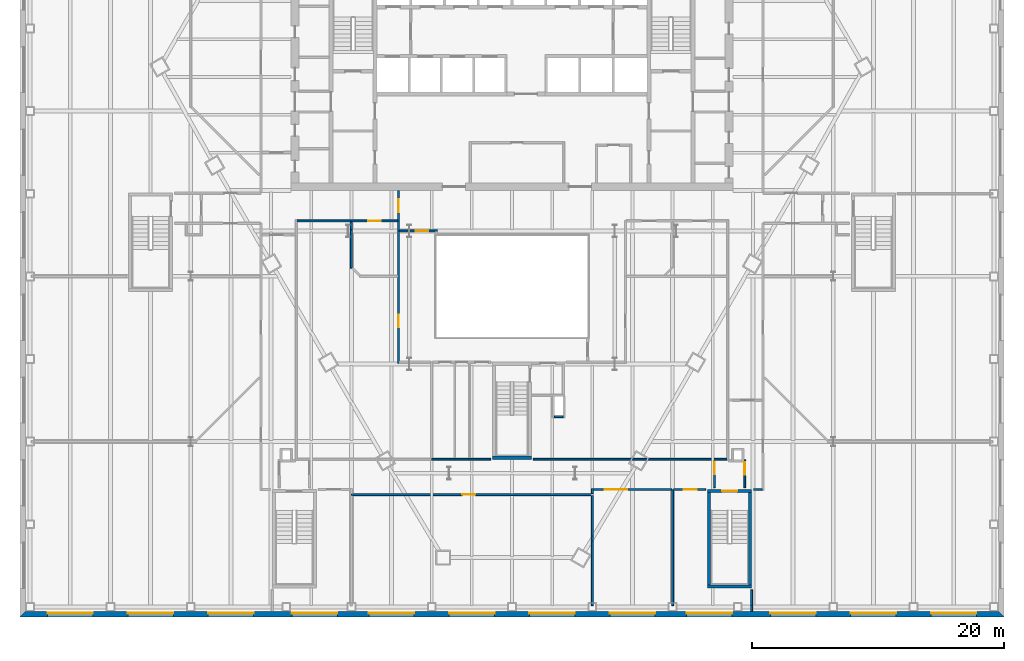
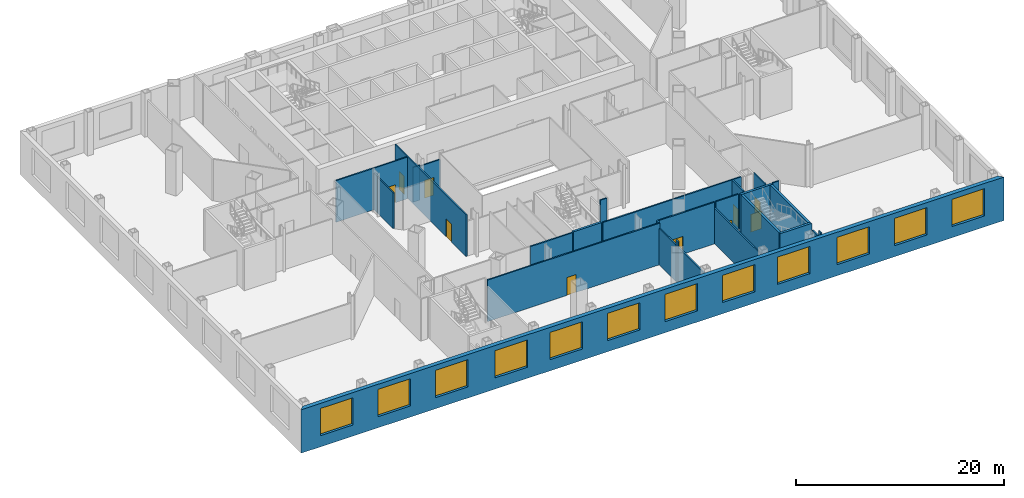
# One storey, part 9 of 20: 28 walls, 12 windows, 10 doors, 22 openings.
"""IFC4 building model written with IfcOpenShell, lengths in metres."""

import ifcopenshell
import ifcopenshell.guid

model = None  # the IFC model being written
_history = None  # IfcOwnerHistory: only IFC2X3 demands one
_inside = {}  # id of a spatial element -> (the spatial element, [elements in it])
_under = {}  # id of a project, library or spatial element -> (it, [spatial elements below it])
_declared = {}  # id of a project -> (the project, [libraries it declares])
_typed = {}  # id of a type object -> (the type object, [elements of that type])
_made_of = {}  # id of a material, layer set ... -> (it, [elements and type objects made of it])


def new_model(schema):
    """Start an empty IFC model of exactly this schema.

    Asked for "IFC4X3", IfcOpenShell would pick the latest addendum, in which some entities
    have other attributes; the version numbers below select the first issue.
    IFC2X3 requires an IfcOwnerHistory on every rooted entity: one is made here for all.
    """
    global model, _history
    if schema == "IFC4X3":
        model = ifcopenshell.file(schema_version=(4, 3, 0, 0))
    else:
        model = ifcopenshell.file(schema=schema)
    _inside.clear()
    _under.clear()
    _declared.clear()
    _typed.clear()
    _made_of.clear()
    _history = None
    if model.schema == "IFC2X3":
        org = make("IfcOrganization", Name="unknown")
        user = make(
            "IfcPersonAndOrganization",
            ThePerson=make("IfcPerson", FamilyName="unknown"),
            TheOrganization=org,
        )
        app = make(
            "IfcApplication",
            ApplicationDeveloper=org,
            Version="unknown",
            ApplicationFullName="unknown",
            ApplicationIdentifier="unknown",
        )
        _history = make(
            "IfcOwnerHistory",
            OwningUser=user,
            OwningApplication=app,
            ChangeAction="ADDED",
            CreationDate=0,
        )
    return model


def make(cls, **values):
    """One entity of the class cls with the attributes given. An attribute that is None is left unset."""
    return model.create_entity(
        cls, **{name: value for name, value in values.items() if value is not None}
    )


def rooted(cls, **values):
    """An entity with a GlobalId (a new one), such as an element, a storey or a relation."""
    return make(cls, GlobalId=ifcopenshell.guid.new(), OwnerHistory=_history, **values)


def si_unit(unit_type, name, prefix=None):
    """IfcSIUnit, for example si_unit("LENGTHUNIT", "METRE", prefix="MILLI")."""
    return make("IfcSIUnit", UnitType=unit_type, Prefix=prefix, Name=name)


def assignment(units):
    """IfcUnitAssignment: the units of a project."""
    return None if units is None else make("IfcUnitAssignment", Units=units)


def point(xyz):
    """IfcCartesianPoint."""
    return None if xyz is None else make("IfcCartesianPoint", Coordinates=xyz)


def direction(xyz):
    """IfcDirection."""
    return None if xyz is None else make("IfcDirection", DirectionRatios=xyz)


def frame(location, z_axis=None, x_axis=None):
    """IfcAxis2Placement3D, a coordinate frame: its origin and axes. An axis left out is left unset."""
    return make(
        "IfcAxis2Placement3D",
        Location=point(location),
        Axis=direction(z_axis),
        RefDirection=direction(x_axis),
    )


def frame_2d(location, x_axis=None):
    """IfcAxis2Placement2D, a coordinate frame in the plane: its origin and x axis."""
    return make(
        "IfcAxis2Placement2D", Location=point(location), RefDirection=direction(x_axis)
    )


def origin():
    """The frame at (0, 0, 0) with its axes left unset."""
    return frame((0.0, 0.0, 0.0))


def place(relative_to, where):
    """IfcLocalPlacement: puts the frame where relative to a parent placement (None: the world)."""
    return make(
        "IfcLocalPlacement", PlacementRelTo=relative_to, RelativePlacement=where
    )


def context(
    kind, dimensions, precision=None, world=None, true_north=None, identifier=None
):
    """IfcGeometricRepresentationContext, for example the 3D "Model" context."""
    return make(
        "IfcGeometricRepresentationContext",
        ContextIdentifier=identifier,
        ContextType=kind,
        CoordinateSpaceDimension=dimensions,
        Precision=precision,
        WorldCoordinateSystem=world,
        TrueNorth=true_north,
    )


def subcontext(parent, identifier, kind, view, scale=None):
    """IfcGeometricRepresentationSubContext, for example "Body" below "Model"."""
    return make(
        "IfcGeometricRepresentationSubContext",
        ContextIdentifier=identifier,
        ContextType=kind,
        ParentContext=parent,
        TargetScale=scale,
        TargetView=view,
    )


def project(units=None, contexts=None):
    """IfcProject with its units and contexts."""
    return rooted(
        "IfcProject",
        Name="project",
        RepresentationContexts=contexts,
        UnitsInContext=assignment(units),
    )


def spatial(cls, under=None, at=None, **own):
    """A site, building, storey or space (cls), placed at a placement, below another one or the project."""
    s = rooted(cls, ObjectPlacement=at, **own)
    if under is not None:
        _under.setdefault(under.id(), (under, []))[1].append(s)
    return s


def polyline(points):
    """IfcPolyline through the points."""
    return make("IfcPolyline", Points=[point(p) for p in points])


def profile(cls, at=None, kind="AREA", **sizes):
    """A parametric profile (cls). Its sizes go by their IFC names, for example OverallWidth=200.0."""
    return make(cls, ProfileType=kind, Position=at, **sizes)


def rectangle(**sizes):
    """IfcRectangleProfileDef."""
    return profile("IfcRectangleProfileDef", **sizes)


def outline(outer, holes=None, kind="AREA"):
    """IfcArbitraryClosedProfileDef: a profile drawn as a closed curve; with holes, ...WithVoids."""
    if holes is None:
        return make("IfcArbitraryClosedProfileDef", ProfileType=kind, OuterCurve=outer)
    return make(
        "IfcArbitraryProfileDefWithVoids",
        ProfileType=kind,
        OuterCurve=outer,
        InnerCurves=holes,
    )


def extrude(swept, where, along, depth):
    """IfcExtrudedAreaSolid: the profile swept, set in the frame where, extruded along a direction by depth."""
    return make(
        "IfcExtrudedAreaSolid",
        SweptArea=swept,
        Position=where,
        ExtrudedDirection=direction(along),
        Depth=depth,
    )


def shape(context_of_items, identifier, shape_type, items):
    """IfcShapeRepresentation: the items that make up one representation, for example the "Body"."""
    return make(
        "IfcShapeRepresentation",
        ContextOfItems=context_of_items,
        RepresentationIdentifier=identifier,
        RepresentationType=shape_type,
        Items=items,
    )


def material(Name=None, Category=None):
    """IfcMaterial."""
    return make("IfcMaterial", Name=Name, Category=Category)


def layer(
    of_material, thickness, ventilated=None, Name=None, Category=None, Priority=None
):
    """IfcMaterialLayer: one layer of a wall or slab, of a material (None: an air gap)."""
    return make(
        "IfcMaterialLayer",
        Material=of_material,
        LayerThickness=thickness,
        IsVentilated=ventilated,
        Name=Name,
        Category=Category,
        Priority=Priority,
    )


def layer_set(layers, Name=None):
    """IfcMaterialLayerSet."""
    return make("IfcMaterialLayerSet", MaterialLayers=layers, LayerSetName=Name)


def made_of(thing, what):
    """Note that an element or type object is made of a material, layer set ...; save() writes the relation."""
    if what is not None:
        _made_of.setdefault(what.id(), (what, []))[1].append(thing)
    return thing


def type_object(cls, material=None, **own):
    """A type object (cls), such as IfcWallType, which elements share."""
    return made_of(rooted(cls, **own), material)


def element(
    cls,
    number,
    at=None,
    inside=None,
    cuts=None,
    type_object=None,
    material=None,
    context=None,
    identifier="Body",
    shape_type=None,
    held_by="IfcProductDefinitionShape",
    body=None,
    shapes=None,
    **own,
):
    """One element of the class cls, such as IfcWall. Its Tag is "e" and its number.

    at: its placement. inside: the storey or other place that contains it. cuts: it is an
    opening in that element (IfcRelVoidsElement). A single representation is given by context,
    identifier, shape_type and body (its items); several are given by shapes. held_by: the class
    of the entity that holds the representations. save() writes the other relations.
    """
    e = rooted(cls, Tag="e%d" % number, ObjectPlacement=at, **own)
    if body is not None:
        shapes = [shape(context, identifier, shape_type, body)]
    if shapes is not None:
        e.Representation = make(held_by, Representations=shapes)
    if inside is not None:
        _inside.setdefault(inside.id(), (inside, []))[1].append(e)
    if cuts is not None:
        rooted(
            "IfcRelVoidsElement", RelatingBuildingElement=cuts, RelatedOpeningElement=e
        )
    if type_object is not None:
        _typed.setdefault(type_object.id(), (type_object, []))[1].append(e)
    return made_of(e, material)


def fill(opening, filler):
    """IfcRelFillsElement: the door or window that sits in an opening."""
    return rooted(
        "IfcRelFillsElement",
        RelatingOpeningElement=opening,
        RelatedBuildingElement=filler,
    )


def aggregate(whole, parts):
    """IfcRelAggregates: a whole, such as a stair, and the parts it consists of."""
    return rooted("IfcRelAggregates", RelatingObject=whole, RelatedObjects=parts)


def save(model, path):
    """Write the relations noted so far, then the file.

    IfcRelAggregates (storeys below a building ...), IfcRelContainedInSpatialStructure (elements
    in a storey), IfcRelDefinesByType, IfcRelAssociatesMaterial and IfcRelDeclares: one each for
    every whole, place, type object, material and project.
    """
    for whole, parts in _under.values():
        aggregate(whole, parts)
    for where, things in _inside.values():
        rooted(
            "IfcRelContainedInSpatialStructure",
            RelatedElements=things,
            RelatingStructure=where,
        )
    for kind, things in _typed.values():
        rooted("IfcRelDefinesByType", RelatedObjects=things, RelatingType=kind)
    for what, things in _made_of.values():
        rooted("IfcRelAssociatesMaterial", RelatedObjects=things, RelatingMaterial=what)
    for by, libraries in _declared.values():
        rooted("IfcRelDeclares", RelatingContext=by, RelatedDefinitions=libraries)
    model.write(path)


model = new_model("IFC4")

# Units and contexts
model_context = context("Model", 3, precision=1e-05, world=origin(), true_north=direction((0.0, 1.0)))
body_context = subcontext(model_context, "Body", "Model", "MODEL_VIEW")
ifc_project = project(units=[si_unit("LENGTHUNIT", "METRE"), si_unit("AREAUNIT", "SQUARE_METRE"), si_unit("VOLUMEUNIT", "CUBIC_METRE"), si_unit("PLANEANGLEUNIT", "RADIAN"), si_unit("MASSUNIT", "GRAM", prefix="KILO")], contexts=[model_context])

# Site, building, storey
site_placement = place(None, origin())
site = spatial("IfcSite", under=ifc_project, at=site_placement, CompositionType="ELEMENT")
building_placement = place(site_placement, origin())
building = spatial("IfcBuilding", under=site, at=building_placement, Name="Njiva Tower", CompositionType="ELEMENT")
storey_placement = place(building_placement, frame((0.0, 0.0, 18.6)))
storey = spatial("IfcBuildingStorey", under=building, at=storey_placement, Name="L03", CompositionType="ELEMENT", Elevation=18.6)

# Wall, opening, door
ifc_material_1 = material(Name="Gypsum board on steel studs", Category="gypsum")
ifc_layer_1 = layer(ifc_material_1, 0.15)
ifc_layer_set_1 = layer_set([ifc_layer_1], Name="Gypsum board on steel studs")
wall_type_1 = type_object("IfcWallType", Name="WT21 Compartment wall 150", PredefinedType="PARTITIONING", material=ifc_layer_set_1)
wall_1_placement = place(storey_placement, frame((-17.025, -2.4, 0.0), z_axis=(0.0, 0.0, 1.0), x_axis=(1.0, 0.0, 0.0)))
wall_1 = element("IfcWall", 1, at=wall_1_placement, inside=storey, type_object=wall_type_1, Name="Partition L03-P033", PredefinedType="PARTITIONING", context=body_context, shape_type="SweptSolid", body=[
    extrude(rectangle(XDim=7.95, YDim=0.15, at=frame_2d((3.975, 0.0))), origin(), (0.0, 0.0, 1.0), 4.88),
])
opening_1_placement = place(wall_1_placement, frame((5.621, 0.0, 0.0)))
opening_1 = element("IfcOpeningElement", 2, at=opening_1_placement, cuts=wall_1, Name="Opening L03-D010", PredefinedType="OPENING", context=body_context, shape_type="SweptSolid", body=[
    extrude(rectangle(XDim=1.0, YDim=2.1, at=frame_2d((0.5, 1.05))), frame((0.0, 0.085, 0.0), z_axis=(0.0, -1.0, 0.0), x_axis=(1.0, 0.0, 0.0)), (0.0, 0.0, 1.0), 0.17),
])
ifc_material_2 = material(Name="Steel fire door set", Category="steel")
door_type_1 = type_object("IfcDoorType", Name="D37 Fire door 1000x2100", OperationType="SINGLE_SWING_LEFT", PredefinedType="DOOR", material=ifc_material_2)
door_1_placement = place(opening_1_placement, origin())
door_1 = element("IfcDoor", 3, at=door_1_placement, inside=storey, type_object=door_type_1, Name="Door L03-D010", OperationType="SINGLE_SWING_RIGHT", OverallHeight=2.1, OverallWidth=1.0, PredefinedType="DOOR", context=body_context, shape_type="SweptSolid", body=[
    extrude(rectangle(XDim=1.0, YDim=2.1, at=frame_2d((0.5, 1.05))), frame((0.0, 0.025, 0.0), z_axis=(0.0, -1.0, 0.0), x_axis=(1.0, 0.0, 0.0)), (0.0, 0.0, 1.0), 0.05),
])
fill(opening_1, door_1)

wall_2_placement = place(storey_placement, frame((-12.733, -24.1, 0.0), z_axis=(0.0, 0.0, 1.0), x_axis=(1.0, 0.0, 0.0)))
wall_2 = element("IfcWall", 4, at=wall_2_placement, inside=storey, type_object=wall_type_1, Name="Partition L03-P037", PredefinedType="PARTITIONING", context=body_context, shape_type="SweptSolid", body=[
    extrude(rectangle(XDim=19.1, YDim=0.15, at=frame_2d((9.55, 0.0))), origin(), (0.0, 0.0, 1.0), 4.88),
])
opening_2_placement = place(wall_2_placement, frame((8.807, 0.0, 0.0)))
opening_2 = element("IfcOpeningElement", 5, at=opening_2_placement, cuts=wall_2, Name="Opening L03-D013", PredefinedType="OPENING", context=body_context, shape_type="SweptSolid", body=[
    extrude(rectangle(XDim=1.0, YDim=2.1, at=frame_2d((0.5, 1.05))), frame((0.0, 0.085, 0.0), z_axis=(0.0, -1.0, 0.0), x_axis=(1.0, 0.0, 0.0)), (0.0, 0.0, 1.0), 0.17),
])
door_2_placement = place(opening_2_placement, origin())
door_2 = element("IfcDoor", 6, at=door_2_placement, inside=storey, type_object=door_type_1, Name="Door L03-D013", OperationType="SINGLE_SWING_LEFT", OverallHeight=2.1, OverallWidth=1.0, PredefinedType="DOOR", context=body_context, shape_type="SweptSolid", body=[
    extrude(rectangle(XDim=1.0, YDim=2.1, at=frame_2d((0.5, 1.05))), frame((0.0, 0.025, 0.0), z_axis=(0.0, -1.0, 0.0), x_axis=(1.0, 0.0, 0.0)), (0.0, 0.0, 1.0), 0.05),
])
fill(opening_2, door_2)

# Walls
wall_3_placement = place(storey_placement, frame((-12.733, -6.142, 0.0), z_axis=(0.0, 0.0, 1.0), x_axis=(0.0, 1.0, 0.0)))
element("IfcWall", 7, at=wall_3_placement, inside=storey, type_object=wall_type_1, Name="Partition L03-P039", PredefinedType="PARTITIONING", context=body_context, shape_type="SweptSolid", body=[
    extrude(rectangle(XDim=3.042, YDim=0.15, at=frame_2d((1.521, 0.0))), origin(), (0.0, 0.0, 1.0), 4.19),
])
wall_4_placement = place(storey_placement, frame((-12.733, -3.1, 0.0), z_axis=(0.0, 0.0, 1.0), x_axis=(0.0, 1.0, 0.0)))
element("IfcWall", 8, at=wall_4_placement, inside=storey, type_object=wall_type_1, Name="Partition L03-P039A", PredefinedType="PARTITIONING", context=body_context, shape_type="SweptSolid", body=[
    extrude(rectangle(XDim=0.625, YDim=0.15, at=frame_2d((0.3125, 0.0))), origin(), (0.0, 0.0, 1.0), 4.28),
])

# Wall, openings, doors
wall_5_placement = place(storey_placement, frame((-9.0, -13.675, 0.0), z_axis=(0.0, 0.0, 1.0), x_axis=(0.0, 1.0, 0.0)))
wall_5 = element("IfcWall", 9, at=wall_5_placement, inside=storey, type_object=wall_type_1, Name="Partition L03-P043", PredefinedType="PARTITIONING", context=body_context, shape_type="SweptSolid", body=[
    extrude(rectangle(XDim=13.675, YDim=0.15, at=frame_2d((6.8375, 0.0))), origin(), (0.0, 0.0, 1.0), 4.88),
])
opening_3_placement = place(wall_5_placement, frame((2.821, 0.0, 0.0)))
opening_3 = element("IfcOpeningElement", 10, at=opening_3_placement, cuts=wall_5, Name="Opening L03-D014", PredefinedType="OPENING", context=body_context, shape_type="SweptSolid", body=[
    extrude(rectangle(XDim=1.0, YDim=2.1, at=frame_2d((0.5, 1.05))), frame((0.0, 0.085, 0.0), z_axis=(0.0, -1.0, 0.0), x_axis=(1.0, 0.0, 0.0)), (0.0, 0.0, 1.0), 0.17),
])
opening_4_placement = place(wall_5_placement, frame((11.975, 0.0, 0.0)))
opening_4 = element("IfcOpeningElement", 11, at=opening_4_placement, cuts=wall_5, Name="Opening L03-D015", PredefinedType="OPENING", context=body_context, shape_type="SweptSolid", body=[
    extrude(rectangle(XDim=1.0, YDim=2.1, at=frame_2d((0.5, 1.05))), frame((0.0, 0.085, 0.0), z_axis=(0.0, -1.0, 0.0), x_axis=(1.0, 0.0, 0.0)), (0.0, 0.0, 1.0), 0.17),
])
door_3_placement = place(opening_3_placement, origin())
door_3 = element("IfcDoor", 12, at=door_3_placement, inside=storey, type_object=door_type_1, Name="Door L03-D014", OperationType="SINGLE_SWING_RIGHT", OverallHeight=2.1, OverallWidth=1.0, PredefinedType="DOOR", context=body_context, shape_type="SweptSolid", body=[
    extrude(rectangle(XDim=1.0, YDim=2.1, at=frame_2d((0.5, 1.05))), frame((0.0, 0.025, 0.0), z_axis=(0.0, -1.0, 0.0), x_axis=(1.0, 0.0, 0.0)), (0.0, 0.0, 1.0), 0.05),
])
fill(opening_3, door_3)
door_4_placement = place(opening_4_placement, origin())
door_4 = element("IfcDoor", 13, at=door_4_placement, inside=storey, type_object=door_type_1, Name="Door L03-D015", OperationType="SINGLE_SWING_LEFT", OverallHeight=2.1, OverallWidth=1.0, PredefinedType="DOOR", context=body_context, shape_type="SweptSolid", body=[
    extrude(rectangle(XDim=1.0, YDim=2.1, at=frame_2d((0.5, 1.05))), frame((0.0, 0.025, 0.0), z_axis=(0.0, -1.0, 0.0), x_axis=(1.0, 0.0, 0.0)), (0.0, 0.0, 1.0), 0.05),
])
fill(opening_4, door_4)

# Wall
wall_6_placement = place(storey_placement, frame((-8.925, -3.2, 0.0), z_axis=(0.0, 0.0, 1.0), x_axis=(1.0, 0.0, 0.0)))
element("IfcWall", 14, at=wall_6_placement, inside=storey, type_object=wall_type_1, Name="Partition L03-P045", PredefinedType="PARTITIONING", context=body_context, shape_type="SweptSolid", body=[
    extrude(rectangle(XDim=0.775, YDim=0.15, at=frame_2d((0.3875, 0.0))), origin(), (0.0, 0.0, 1.0), 4.09),
])

# Wall, opening, door
wall_7_placement = place(storey_placement, frame((-8.15, -3.2, 0.0), z_axis=(0.0, 0.0, 1.0), x_axis=(1.0, 0.0, 0.0)))
wall_7 = element("IfcWall", 15, at=wall_7_placement, inside=storey, type_object=wall_type_1, Name="Partition L03-P045A", PredefinedType="PARTITIONING", context=body_context, shape_type="SweptSolid", body=[
    extrude(rectangle(XDim=2.225, YDim=0.15, at=frame_2d((1.1125, 0.0))), origin(), (0.0, 0.0, 1.0), 3.97),
])
opening_5_placement = place(wall_7_placement, frame((0.513, 0.0, 0.0)))
opening_5 = element("IfcOpeningElement", 16, at=opening_5_placement, cuts=wall_7, Name="Opening L03-D016", PredefinedType="OPENING", context=body_context, shape_type="SweptSolid", body=[
    extrude(rectangle(XDim=1.0, YDim=2.1, at=frame_2d((0.5, 1.05))), frame((0.0, 0.085, 0.0), z_axis=(0.0, -1.0, 0.0), x_axis=(1.0, 0.0, 0.0)), (0.0, 0.0, 1.0), 0.17),
])
door_5_placement = place(opening_5_placement, origin())
door_5 = element("IfcDoor", 17, at=door_5_placement, inside=storey, type_object=door_type_1, Name="Door L03-D016", OperationType="SINGLE_SWING_RIGHT", OverallHeight=2.1, OverallWidth=1.0, PredefinedType="DOOR", context=body_context, shape_type="SweptSolid", body=[
    extrude(rectangle(XDim=1.0, YDim=2.1, at=frame_2d((0.5, 1.05))), frame((0.0, 0.025, 0.0), z_axis=(0.0, -1.0, 0.0), x_axis=(1.0, 0.0, 0.0)), (0.0, 0.0, 1.0), 0.05),
])
fill(opening_5, door_5)

# Walls
wall_8_placement = place(storey_placement, frame((-6.367, -21.3, 0.0), z_axis=(0.0, 0.0, 1.0), x_axis=(1.0, 0.0, 0.0)))
element("IfcWall", 18, at=wall_8_placement, inside=storey, type_object=wall_type_1, Name="Partition L03-P046", PredefinedType="PARTITIONING", context=body_context, shape_type="SweptSolid", body=[
    extrude(rectangle(XDim=4.667, YDim=0.15, at=frame_2d((2.3335, 0.0))), origin(), (0.0, 0.0, 1.0), 4.88),
])
wall_9_placement = place(storey_placement, frame((1.7, -21.3, 0.0), z_axis=(0.0, 0.0, 1.0), x_axis=(1.0, 0.0, 0.0)))
element("IfcWall", 19, at=wall_9_placement, inside=storey, type_object=wall_type_1, Name="Partition L03-P053", PredefinedType="PARTITIONING", context=body_context, shape_type="SweptSolid", body=[
    extrude(rectangle(XDim=15.325, YDim=0.15, at=frame_2d((7.6625, 0.0))), origin(), (0.0, 0.0, 1.0), 4.88),
])
wall_10_placement = place(storey_placement, frame((6.366, -32.9, 0.0), z_axis=(0.0, 0.0, 1.0), x_axis=(0.000117096018, 0.999999993144, 0.0)))
element("IfcWall", 20, at=wall_10_placement, inside=storey, type_object=wall_type_1, Name="Partition L03-P056", PredefinedType="PARTITIONING", context=body_context, shape_type="SweptSolid", body=[
    extrude(rectangle(XDim=5.124, YDim=0.15, at=frame_2d((2.562, 0.0))), origin(), (0.0, 0.0, 1.0), 4.28),
])
wall_11_placement = place(storey_placement, frame((6.3666, -27.776, 0.0), z_axis=(0.0, 0.0, 1.0), x_axis=(0.0, 1.0, 0.0)))
element("IfcWall", 21, at=wall_11_placement, inside=storey, type_object=wall_type_1, Name="Partition L03-P056A", PredefinedType="PARTITIONING", context=body_context, shape_type="SweptSolid", body=[
    extrude(rectangle(XDim=0.39, YDim=0.15, at=frame_2d((0.195, 0.0))), origin(), (0.0, 0.0, 1.0), 4.88),
])
wall_12_placement = place(storey_placement, frame((6.3666, -27.386, 0.0), z_axis=(0.0, 0.0, 1.0), x_axis=(0.000124571784, 0.999999992241, 0.0)))
element("IfcWall", 22, at=wall_12_placement, inside=storey, type_object=wall_type_1, Name="Partition L03-P056B", PredefinedType="PARTITIONING", context=body_context, shape_type="SweptSolid", body=[
    extrude(rectangle(XDim=3.211, YDim=0.15, at=frame_2d((1.6055, 0.0))), origin(), (0.0, 0.0, 1.0), 4.28),
])
wall_13_placement = place(storey_placement, frame((6.367, -24.025, 0.0), z_axis=(0.0, 0.0, 1.0), x_axis=(0.0, 1.0, 0.0)))
element("IfcWall", 23, at=wall_13_placement, inside=storey, type_object=wall_type_1, Name="Partition L03-P057", PredefinedType="PARTITIONING", context=body_context, shape_type="SweptSolid", body=[
    extrude(rectangle(XDim=0.4, YDim=0.15, at=frame_2d((0.2, 0.0))), origin(), (0.0, 0.0, 1.0), 4.88),
])

# Wall, opening, door
wall_14_placement = place(storey_placement, frame((6.442, -23.7, 0.0), z_axis=(0.0, 0.0, 1.0), x_axis=(1.0, 0.0, 0.0)))
wall_14 = element("IfcWall", 24, at=wall_14_placement, inside=storey, type_object=wall_type_1, Name="Partition L03-P058", PredefinedType="PARTITIONING", context=body_context, shape_type="SweptSolid", body=[
    extrude(rectangle(XDim=6.216, YDim=0.15, at=frame_2d((3.108, 0.0))), origin(), (0.0, 0.0, 1.0), 4.88),
])
opening_6_placement = place(wall_14_placement, frame((0.903, 0.0, 0.0)))
opening_6 = element("IfcOpeningElement", 25, at=opening_6_placement, cuts=wall_14, Name="Opening L03-D021", PredefinedType="OPENING", context=body_context, shape_type="SweptSolid", body=[
    extrude(rectangle(XDim=1.8, YDim=2.1, at=frame_2d((0.9, 1.05))), frame((0.0, 0.085, 0.0), z_axis=(0.0, -1.0, 0.0), x_axis=(1.0, 0.0, 0.0)), (0.0, 0.0, 1.0), 0.17),
])
door_type_2 = type_object("IfcDoorType", Name="D38 Fire door 1800x2100", OperationType="DOUBLE_DOOR_SINGLE_SWING", PredefinedType="DOOR", material=ifc_material_2)
door_6_placement = place(opening_6_placement, origin())
door_6 = element("IfcDoor", 26, at=door_6_placement, inside=storey, type_object=door_type_2, Name="Door L03-D021", OperationType="DOUBLE_DOOR_SINGLE_SWING", OverallHeight=2.1, OverallWidth=1.8, PredefinedType="DOOR", context=body_context, shape_type="SweptSolid", body=[
    extrude(rectangle(XDim=1.8, YDim=2.1, at=frame_2d((0.9, 1.05))), frame((0.0, 0.025, 0.0), z_axis=(0.0, -1.0, 0.0), x_axis=(1.0, 0.0, 0.0)), (0.0, 0.0, 1.0), 0.05),
])
fill(opening_6, door_6)

# Wall
wall_15_placement = place(storey_placement, frame((12.733, -32.9, 0.0), z_axis=(0.0, 0.0, 1.0), x_axis=(0.0, 1.0, 0.0)))
element("IfcWall", 27, at=wall_15_placement, inside=storey, type_object=wall_type_1, Name="Partition L03-P064", PredefinedType="PARTITIONING", context=body_context, shape_type="SweptSolid", body=[
    extrude(rectangle(XDim=9.2, YDim=0.15, at=frame_2d((4.6, 0.0))), origin(), (0.0, 0.0, 1.0), 4.19),
])

# Wall, opening, door
wall_16_placement = place(storey_placement, frame((12.808, -23.7, 0.0), z_axis=(0.0, 0.0, 1.0), x_axis=(1.0, 0.0, 0.0)))
wall_16 = element("IfcWall", 28, at=wall_16_placement, inside=storey, type_object=wall_type_1, Name="Partition L03-P066", PredefinedType="PARTITIONING", context=body_context, shape_type="SweptSolid", body=[
    extrude(rectangle(XDim=2.542, YDim=0.15, at=frame_2d((1.271, 0.0))), origin(), (0.0, 0.0, 1.0), 4.88),
])
opening_7_placement = place(wall_16_placement, frame((0.823, 0.0, 0.0)))
opening_7 = element("IfcOpeningElement", 29, at=opening_7_placement, cuts=wall_16, Name="Opening L03-D025", PredefinedType="OPENING", context=body_context, shape_type="SweptSolid", body=[
    extrude(rectangle(XDim=1.0, YDim=2.1, at=frame_2d((0.5, 1.05))), frame((0.0, 0.085, 0.0), z_axis=(0.0, -1.0, 0.0), x_axis=(1.0, 0.0, 0.0)), (0.0, 0.0, 1.0), 0.17),
])
door_7_placement = place(opening_7_placement, origin())
door_7 = element("IfcDoor", 30, at=door_7_placement, inside=storey, type_object=door_type_1, Name="Door L03-D025", OperationType="SINGLE_SWING_RIGHT", OverallHeight=2.1, OverallWidth=1.0, PredefinedType="DOOR", context=body_context, shape_type="SweptSolid", body=[
    extrude(rectangle(XDim=1.0, YDim=2.1, at=frame_2d((0.5, 1.05))), frame((0.0, 0.025, 0.0), z_axis=(0.0, -1.0, 0.0), x_axis=(1.0, 0.0, 0.0)), (0.0, 0.0, 1.0), 0.05),
])
fill(opening_7, door_7)

wall_17_placement = place(storey_placement, frame((16.05, -23.55, 0.0), z_axis=(0.0, 0.0, 1.0), x_axis=(0.0, 1.0, 0.0)))
wall_17 = element("IfcWall", 31, at=wall_17_placement, inside=storey, type_object=wall_type_1, Name="Partition L03-P067", PredefinedType="PARTITIONING", context=body_context, shape_type="SweptSolid", body=[
    extrude(rectangle(XDim=2.175, YDim=0.15, at=frame_2d((1.0875, 0.0))), origin(), (0.0, 0.0, 1.0), 4.88),
])
opening_8_placement = place(wall_17_placement, frame((1.063, 0.0, 0.0)))
opening_8 = element("IfcOpeningElement", 32, at=opening_8_placement, cuts=wall_17, Name="Opening L03-D026", PredefinedType="OPENING", context=body_context, shape_type="SweptSolid", body=[
    extrude(rectangle(XDim=1.0, YDim=2.1, at=frame_2d((0.5, 1.05))), frame((0.0, 0.085, 0.0), z_axis=(0.0, -1.0, 0.0), x_axis=(1.0, 0.0, 0.0)), (0.0, 0.0, 1.0), 0.17),
])
ifc_material_3 = material(Name="Glazed steel fire door", Category="steel")
door_type_3 = type_object("IfcDoorType", Name="D41 Glazed fire door 1000x2100", OperationType="SINGLE_SWING_LEFT", PredefinedType="DOOR", material=ifc_material_3)
door_8_placement = place(opening_8_placement, origin())
door_8 = element("IfcDoor", 33, at=door_8_placement, inside=storey, type_object=door_type_3, Name="Door L03-D026", OperationType="SINGLE_SWING_RIGHT", OverallHeight=2.1, OverallWidth=1.0, PredefinedType="DOOR", context=body_context, shape_type="SweptSolid", body=[
    extrude(rectangle(XDim=1.0, YDim=2.1, at=frame_2d((0.5, 1.05))), frame((0.0, 0.025, 0.0), z_axis=(0.0, -1.0, 0.0), x_axis=(1.0, 0.0, 0.0)), (0.0, 0.0, 1.0), 0.05),
])
fill(opening_8, door_8)

wall_18_placement = place(storey_placement, frame((18.45, -23.55, 0.0), z_axis=(0.0, 0.0, 1.0), x_axis=(0.0, 1.0, 0.0)))
wall_18 = element("IfcWall", 34, at=wall_18_placement, inside=storey, type_object=wall_type_1, Name="Partition L03-P077", PredefinedType="PARTITIONING", context=body_context, shape_type="SweptSolid", body=[
    extrude(rectangle(XDim=2.2, YDim=0.15, at=frame_2d((1.1, 0.0))), origin(), (0.0, 0.0, 1.0), 4.88),
])
opening_9_placement = place(wall_18_placement, frame((1.013, 0.0, 0.0)))
opening_9 = element("IfcOpeningElement", 35, at=opening_9_placement, cuts=wall_18, Name="Opening L03-D028", PredefinedType="OPENING", context=body_context, shape_type="SweptSolid", body=[
    extrude(rectangle(XDim=1.0, YDim=2.1, at=frame_2d((0.5, 1.05))), frame((0.0, 0.085, 0.0), z_axis=(0.0, -1.0, 0.0), x_axis=(1.0, 0.0, 0.0)), (0.0, 0.0, 1.0), 0.17),
])
door_9_placement = place(opening_9_placement, origin())
door_9 = element("IfcDoor", 36, at=door_9_placement, inside=storey, type_object=door_type_3, Name="Door L03-D028", OperationType="SINGLE_SWING_LEFT", OverallHeight=2.1, OverallWidth=1.0, PredefinedType="DOOR", context=body_context, shape_type="SweptSolid", body=[
    extrude(rectangle(XDim=1.0, YDim=2.1, at=frame_2d((0.5, 1.05))), frame((0.0, 0.025, 0.0), z_axis=(0.0, -1.0, 0.0), x_axis=(1.0, 0.0, 0.0)), (0.0, 0.0, 1.0), 0.05),
])
fill(opening_9, door_9)

# Walls
wall_19_placement = place(storey_placement, frame((19.0, -33.348, 0.0), z_axis=(0.0, 0.0, 1.0), x_axis=(0.0, 1.0, 0.0)))
element("IfcWall", 37, at=wall_19_placement, inside=storey, type_object=wall_type_1, Name="Partition L03-P078", PredefinedType="PARTITIONING", context=body_context, shape_type="SweptSolid", body=[
    extrude(rectangle(XDim=0.448, YDim=0.15, at=frame_2d((0.224, 0.0))), origin(), (0.0, 0.0, 1.0), 4.88),
])
wall_20_placement = place(storey_placement, frame((19.0, -32.9, 0.0), z_axis=(0.0, 0.0, 1.0), x_axis=(0.0, 1.0, 0.0)))
element("IfcWall", 38, at=wall_20_placement, inside=storey, type_object=wall_type_1, Name="Partition L03-P078A", PredefinedType="PARTITIONING", context=body_context, shape_type="SweptSolid", body=[
    extrude(rectangle(XDim=1.25, YDim=0.15, at=frame_2d((0.625, 0.0))), origin(), (0.0, 0.0, 1.0), 4.19),
])
wall_21_placement = place(storey_placement, frame((19.15, -23.7, 0.0), z_axis=(0.0, 0.0, 1.0), x_axis=(1.0, 0.0, 0.0)))
element("IfcWall", 39, at=wall_21_placement, inside=storey, type_object=wall_type_1, Name="Partition L03-P079", PredefinedType="PARTITIONING", context=body_context, shape_type="SweptSolid", body=[
    extrude(rectangle(XDim=0.675, YDim=0.15, at=frame_2d((0.3375, 0.0))), origin(), (0.0, 0.0, 1.0), 4.88),
])
ifc_material_4 = material(Name="Blockwork", Category="masonry")
ifc_layer_2 = layer(ifc_material_4, 0.15)
ifc_layer_set_2 = layer_set([ifc_layer_2], Name="Blockwork")
wall_type_2 = type_object("IfcWallType", Name="WT4 Stair partition 150", PredefinedType="PARTITIONING", material=ifc_layer_set_2)
wall_22_placement = place(storey_placement, frame((3.35, -17.925, 0.0), z_axis=(0.0, 0.0, 1.0), x_axis=(1.0, 0.0, 0.0)))
element("IfcWall", 40, at=wall_22_placement, inside=storey, type_object=wall_type_2, Name="Stair C pressurisation shaft wall", PredefinedType="PARTITIONING", context=body_context, shape_type="SweptSolid", body=[
    extrude(rectangle(XDim=0.7, YDim=0.15, at=frame_2d((0.35, 0.0))), origin(), (0.0, 0.0, 1.0), 4.88),
])
ifc_material_5 = material(Name="Concrete C40/50", Category="concrete")
ifc_layer_3 = layer(ifc_material_5, 0.25)
ifc_layer_set_3 = layer_set([ifc_layer_3], Name="Concrete C40/50")
wall_type_3 = type_object("IfcWallType", Name="WT9 Stair enclosure wall 250", PredefinedType="SHEAR", material=ifc_layer_set_3)
wall_23_placement = place(storey_placement, frame((-1.55, -21.175, 0.0), z_axis=(0.0, 0.0, 1.0), x_axis=(1.0, 0.0, 0.0)))
element("IfcWall", 41, at=wall_23_placement, inside=storey, type_object=wall_type_3, Name="Stair C wall south", PredefinedType="SHEAR", context=body_context, shape_type="SweptSolid", body=[
    extrude(rectangle(XDim=3.1, YDim=0.25, at=frame_2d((1.55, 0.0))), origin(), (0.0, 0.0, 1.0), 4.88),
])
for number, where, z_axis, x_axis, name in (
    (42, (15.625, -31.25, 0.0), (0.0, 0.0, 1.0), (0.0, 1.0, 0.0), "Stair E wall west"),
    (43, (18.875, -31.25, 0.0), (0.0, 0.0, 1.0), (0.0, 1.0, 0.0), "Stair E wall east"),
):
    element("IfcWall", number, at=place(storey_placement, frame(where, z_axis=z_axis, x_axis=x_axis)), inside=storey, type_object=wall_type_3, Name=name, PredefinedType="SHEAR", context=body_context, shape_type="SweptSolid", body=[
        extrude(rectangle(XDim=7.3, YDim=0.25, at=frame_2d((3.65, 0.0))), origin(), (0.0, 0.0, 1.0), 4.88),
    ])
wall_24_placement = place(storey_placement, frame((15.5, -31.375, 0.0), z_axis=(0.0, 0.0, 1.0), x_axis=(1.0, 0.0, 0.0)))
element("IfcWall", 44, at=wall_24_placement, inside=storey, type_object=wall_type_3, Name="Stair E wall south", PredefinedType="SHEAR", context=body_context, shape_type="SweptSolid", body=[
    extrude(rectangle(XDim=3.5, YDim=0.25, at=frame_2d((1.75, 0.0))), origin(), (0.0, 0.0, 1.0), 4.88),
])

# Wall, opening, door
wall_25_placement = place(storey_placement, frame((15.5, -23.825, 0.0), z_axis=(0.0, 0.0, 1.0), x_axis=(1.0, 0.0, 0.0)))
wall_25 = element("IfcWall", 45, at=wall_25_placement, inside=storey, type_object=wall_type_3, Name="Stair E wall north", PredefinedType="SHEAR", context=body_context, shape_type="SweptSolid", body=[
    extrude(rectangle(XDim=3.5, YDim=0.25, at=frame_2d((1.75, 0.0))), origin(), (0.0, 0.0, 1.0), 4.88),
])
opening_10_placement = place(wall_25_placement, frame((1.15, 0.0, 0.0)))
opening_10 = element("IfcOpeningElement", 46, at=opening_10_placement, cuts=wall_25, Name="Opening L03-D942", PredefinedType="OPENING", context=body_context, shape_type="SweptSolid", body=[
    extrude(rectangle(XDim=1.2, YDim=2.1, at=frame_2d((0.6, 1.05))), frame((0.0, 0.135, 0.0), z_axis=(0.0, -1.0, 0.0), x_axis=(1.0, 0.0, 0.0)), (0.0, 0.0, 1.0), 0.27),
])
ifc_material_6 = material(Name="Steel door, painted", Category="steel")
door_type_4 = type_object("IfcDoorType", Name="D1 Stair door 1200x2100", OperationType="SINGLE_SWING_LEFT", PredefinedType="DOOR", material=ifc_material_6)
door_10_placement = place(opening_10_placement, origin())
door_10 = element("IfcDoor", 47, at=door_10_placement, inside=storey, type_object=door_type_4, Name="Stair E door", OperationType="SINGLE_SWING_LEFT", OverallHeight=2.1, OverallWidth=1.2, PredefinedType="DOOR", context=body_context, shape_type="SweptSolid", body=[
    extrude(rectangle(XDim=1.2, YDim=2.1, at=frame_2d((0.6, 1.05))), frame((0.0, 0.025, 0.0), z_axis=(0.0, -1.0, 0.0), x_axis=(1.0, 0.0, 0.0)), (0.0, 0.0, 1.0), 0.05),
])
fill(opening_10, door_10)

# Wall, openings, windows
ifc_material_7 = material(Name="Brick masonry", Category="masonry")
ifc_layer_4 = layer(ifc_material_7, 0.45)
ifc_layer_set_4 = layer_set([ifc_layer_4], Name="Brick masonry")
wall_type_4 = type_object("IfcWallType", Name="WT90 Brick pier and spandrel wall 450", PredefinedType="SOLIDWALL", material=ifc_layer_set_4)
wall_26_placement = place(storey_placement, frame((-38.775, -33.575, -0.4), z_axis=(0.0, 0.0, 1.0), x_axis=(1.0, 0.0, 0.0)))
wall_26 = element("IfcWall", 48, at=wall_26_placement, inside=storey, type_object=wall_type_4, Name="Podium wall S", PredefinedType="SOLIDWALL", context=body_context, shape_type="SweptSolid", body=[
    extrude(outline(polyline([(-0.225, -0.225), (77.775, -0.225), (77.325, 0.225), (0.225, 0.225), (-0.225, -0.225)])), origin(), (0.0, 0.0, 1.0), 5.1),
])
opening_11_placement = place(wall_26_placement, frame((1.9584, 0.0, 1.3)))
opening_11 = element("IfcOpeningElement", 49, at=opening_11_placement, cuts=wall_26, Name="Opening L03-W25", PredefinedType="OPENING", context=body_context, shape_type="SweptSolid", body=[
    extrude(rectangle(XDim=3.6, YDim=3.2, at=frame_2d((1.8, 1.6))), frame((0.0, 0.235, 0.0), z_axis=(0.0, -1.0, 0.0), x_axis=(1.0, 0.0, 0.0)), (0.0, 0.0, 1.0), 0.47),
])
opening_12_placement = place(wall_26_placement, frame((8.325, 0.0, 1.3)))
opening_12 = element("IfcOpeningElement", 50, at=opening_12_placement, cuts=wall_26, Name="Opening L03-W26", PredefinedType="OPENING", context=body_context, shape_type="SweptSolid", body=[
    extrude(rectangle(XDim=3.6, YDim=3.2, at=frame_2d((1.8, 1.6))), frame((0.0, 0.235, 0.0), z_axis=(0.0, -1.0, 0.0), x_axis=(1.0, 0.0, 0.0)), (0.0, 0.0, 1.0), 0.47),
])
opening_13_placement = place(wall_26_placement, frame((14.6916, 0.0, 1.3)))
opening_13 = element("IfcOpeningElement", 51, at=opening_13_placement, cuts=wall_26, Name="Opening L03-W27", PredefinedType="OPENING", context=body_context, shape_type="SweptSolid", body=[
    extrude(rectangle(XDim=3.6, YDim=3.2, at=frame_2d((1.8, 1.6))), frame((0.0, 0.235, 0.0), z_axis=(0.0, -1.0, 0.0), x_axis=(1.0, 0.0, 0.0)), (0.0, 0.0, 1.0), 0.47),
])
opening_14_placement = place(wall_26_placement, frame((21.325, 0.0, 1.3)))
opening_14 = element("IfcOpeningElement", 52, at=opening_14_placement, cuts=wall_26, Name="Opening L03-W28", PredefinedType="OPENING", context=body_context, shape_type="SweptSolid", body=[
    extrude(rectangle(XDim=3.6, YDim=3.2, at=frame_2d((1.8, 1.6))), frame((0.0, 0.235, 0.0), z_axis=(0.0, -1.0, 0.0), x_axis=(1.0, 0.0, 0.0)), (0.0, 0.0, 1.0), 0.47),
])
opening_15_placement = place(wall_26_placement, frame((27.425, 0.0, 1.3)))
opening_15 = element("IfcOpeningElement", 53, at=opening_15_placement, cuts=wall_26, Name="Opening L03-W29", PredefinedType="OPENING", context=body_context, shape_type="SweptSolid", body=[
    extrude(rectangle(XDim=3.6, YDim=3.2, at=frame_2d((1.8, 1.6))), frame((0.0, 0.235, 0.0), z_axis=(0.0, -1.0, 0.0), x_axis=(1.0, 0.0, 0.0)), (0.0, 0.0, 1.0), 0.47),
])
opening_16_placement = place(wall_26_placement, frame((33.7916, 0.0, 1.3)))
opening_16 = element("IfcOpeningElement", 54, at=opening_16_placement, cuts=wall_26, Name="Opening L03-W30", PredefinedType="OPENING", context=body_context, shape_type="SweptSolid", body=[
    extrude(rectangle(XDim=3.6, YDim=3.2, at=frame_2d((1.8, 1.6))), frame((0.0, 0.235, 0.0), z_axis=(0.0, -1.0, 0.0), x_axis=(1.0, 0.0, 0.0)), (0.0, 0.0, 1.0), 0.47),
])
opening_17_placement = place(wall_26_placement, frame((40.1584, 0.0, 1.3)))
opening_17 = element("IfcOpeningElement", 55, at=opening_17_placement, cuts=wall_26, Name="Opening L03-W31", PredefinedType="OPENING", context=body_context, shape_type="SweptSolid", body=[
    extrude(rectangle(XDim=3.6, YDim=3.2, at=frame_2d((1.8, 1.6))), frame((0.0, 0.235, 0.0), z_axis=(0.0, -1.0, 0.0), x_axis=(1.0, 0.0, 0.0)), (0.0, 0.0, 1.0), 0.47),
])
opening_18_placement = place(wall_26_placement, frame((46.525, 0.0, 1.3)))
opening_18 = element("IfcOpeningElement", 56, at=opening_18_placement, cuts=wall_26, Name="Opening L03-W32", PredefinedType="OPENING", context=body_context, shape_type="SweptSolid", body=[
    extrude(rectangle(XDim=3.6, YDim=3.2, at=frame_2d((1.8, 1.6))), frame((0.0, 0.235, 0.0), z_axis=(0.0, -1.0, 0.0), x_axis=(1.0, 0.0, 0.0)), (0.0, 0.0, 1.0), 0.47),
])
opening_19_placement = place(wall_26_placement, frame((52.625, 0.0, 1.3)))
opening_19 = element("IfcOpeningElement", 57, at=opening_19_placement, cuts=wall_26, Name="Opening L03-W33", PredefinedType="OPENING", context=body_context, shape_type="SweptSolid", body=[
    extrude(rectangle(XDim=3.6, YDim=3.2, at=frame_2d((1.8, 1.6))), frame((0.0, 0.235, 0.0), z_axis=(0.0, -1.0, 0.0), x_axis=(1.0, 0.0, 0.0)), (0.0, 0.0, 1.0), 0.47),
])
opening_20_placement = place(wall_26_placement, frame((59.2584, 0.0, 1.3)))
opening_20 = element("IfcOpeningElement", 58, at=opening_20_placement, cuts=wall_26, Name="Opening L03-W34", PredefinedType="OPENING", context=body_context, shape_type="SweptSolid", body=[
    extrude(rectangle(XDim=3.6, YDim=3.2, at=frame_2d((1.8, 1.6))), frame((0.0, 0.235, 0.0), z_axis=(0.0, -1.0, 0.0), x_axis=(1.0, 0.0, 0.0)), (0.0, 0.0, 1.0), 0.47),
])
opening_21_placement = place(wall_26_placement, frame((65.625, 0.0, 1.3)))
opening_21 = element("IfcOpeningElement", 59, at=opening_21_placement, cuts=wall_26, Name="Opening L03-W35", PredefinedType="OPENING", context=body_context, shape_type="SweptSolid", body=[
    extrude(rectangle(XDim=3.6, YDim=3.2, at=frame_2d((1.8, 1.6))), frame((0.0, 0.235, 0.0), z_axis=(0.0, -1.0, 0.0), x_axis=(1.0, 0.0, 0.0)), (0.0, 0.0, 1.0), 0.47),
])
opening_22_placement = place(wall_26_placement, frame((71.9917, 0.0, 1.3)))
opening_22 = element("IfcOpeningElement", 60, at=opening_22_placement, cuts=wall_26, Name="Opening L03-W36", PredefinedType="OPENING", context=body_context, shape_type="SweptSolid", body=[
    extrude(rectangle(XDim=3.6, YDim=3.2, at=frame_2d((1.8, 1.6))), frame((0.0, 0.235, 0.0), z_axis=(0.0, -1.0, 0.0), x_axis=(1.0, 0.0, 0.0)), (0.0, 0.0, 1.0), 0.47),
])
ifc_material_8 = material(Name="Clear glazing in aluminium frame", Category="aluminium")
window_type = type_object("IfcWindowType", Name="W98 Deep-set window 3600x3200", PartitioningType="SINGLE_PANEL", PredefinedType="WINDOW", material=ifc_material_8)
window_1_placement = place(opening_11_placement, origin())
window_1 = element("IfcWindow", 61, at=window_1_placement, inside=storey, type_object=window_type, Name="Window", OverallHeight=3.2, OverallWidth=3.6, PartitioningType="SINGLE_PANEL", PredefinedType="WINDOW", context=body_context, shape_type="SweptSolid", body=[
    extrude(rectangle(XDim=3.6, YDim=3.2, at=frame_2d((1.8, 1.6))), frame((0.0, 0.105, 0.0), z_axis=(0.0, -1.0, 0.0), x_axis=(1.0, 0.0, 0.0)), (0.0, 0.0, 1.0), 0.06),
])
fill(opening_11, window_1)
window_2_placement = place(opening_12_placement, origin())
window_2 = element("IfcWindow", 62, at=window_2_placement, inside=storey, type_object=window_type, Name="Window", OverallHeight=3.2, OverallWidth=3.6, PartitioningType="SINGLE_PANEL", PredefinedType="WINDOW", context=body_context, shape_type="SweptSolid", body=[
    extrude(rectangle(XDim=3.6, YDim=3.2, at=frame_2d((1.8, 1.6))), frame((0.0, 0.105, 0.0), z_axis=(0.0, -1.0, 0.0), x_axis=(1.0, 0.0, 0.0)), (0.0, 0.0, 1.0), 0.06),
])
fill(opening_12, window_2)
window_3_placement = place(opening_13_placement, origin())
window_3 = element("IfcWindow", 63, at=window_3_placement, inside=storey, type_object=window_type, Name="Window", OverallHeight=3.2, OverallWidth=3.6, PartitioningType="SINGLE_PANEL", PredefinedType="WINDOW", context=body_context, shape_type="SweptSolid", body=[
    extrude(rectangle(XDim=3.6, YDim=3.2, at=frame_2d((1.8, 1.6))), frame((0.0, 0.105, 0.0), z_axis=(0.0, -1.0, 0.0), x_axis=(1.0, 0.0, 0.0)), (0.0, 0.0, 1.0), 0.06),
])
fill(opening_13, window_3)
window_4_placement = place(opening_14_placement, origin())
window_4 = element("IfcWindow", 64, at=window_4_placement, inside=storey, type_object=window_type, Name="Window", OverallHeight=3.2, OverallWidth=3.6, PartitioningType="SINGLE_PANEL", PredefinedType="WINDOW", context=body_context, shape_type="SweptSolid", body=[
    extrude(rectangle(XDim=3.6, YDim=3.2, at=frame_2d((1.8, 1.6))), frame((0.0, 0.105, 0.0), z_axis=(0.0, -1.0, 0.0), x_axis=(1.0, 0.0, 0.0)), (0.0, 0.0, 1.0), 0.06),
])
fill(opening_14, window_4)
window_5_placement = place(opening_15_placement, origin())
window_5 = element("IfcWindow", 65, at=window_5_placement, inside=storey, type_object=window_type, Name="Window", OverallHeight=3.2, OverallWidth=3.6, PartitioningType="SINGLE_PANEL", PredefinedType="WINDOW", context=body_context, shape_type="SweptSolid", body=[
    extrude(rectangle(XDim=3.6, YDim=3.2, at=frame_2d((1.8, 1.6))), frame((0.0, 0.105, 0.0), z_axis=(0.0, -1.0, 0.0), x_axis=(1.0, 0.0, 0.0)), (0.0, 0.0, 1.0), 0.06),
])
fill(opening_15, window_5)
window_6_placement = place(opening_16_placement, origin())
window_6 = element("IfcWindow", 66, at=window_6_placement, inside=storey, type_object=window_type, Name="Window", OverallHeight=3.2, OverallWidth=3.6, PartitioningType="SINGLE_PANEL", PredefinedType="WINDOW", context=body_context, shape_type="SweptSolid", body=[
    extrude(rectangle(XDim=3.6, YDim=3.2, at=frame_2d((1.8, 1.6))), frame((0.0, 0.105, 0.0), z_axis=(0.0, -1.0, 0.0), x_axis=(1.0, 0.0, 0.0)), (0.0, 0.0, 1.0), 0.06),
])
fill(opening_16, window_6)
window_7_placement = place(opening_17_placement, origin())
window_7 = element("IfcWindow", 67, at=window_7_placement, inside=storey, type_object=window_type, Name="Window", OverallHeight=3.2, OverallWidth=3.6, PartitioningType="SINGLE_PANEL", PredefinedType="WINDOW", context=body_context, shape_type="SweptSolid", body=[
    extrude(rectangle(XDim=3.6, YDim=3.2, at=frame_2d((1.8, 1.6))), frame((0.0, 0.105, 0.0), z_axis=(0.0, -1.0, 0.0), x_axis=(1.0, 0.0, 0.0)), (0.0, 0.0, 1.0), 0.06),
])
fill(opening_17, window_7)
window_8_placement = place(opening_18_placement, origin())
window_8 = element("IfcWindow", 68, at=window_8_placement, inside=storey, type_object=window_type, Name="Window", OverallHeight=3.2, OverallWidth=3.6, PartitioningType="SINGLE_PANEL", PredefinedType="WINDOW", context=body_context, shape_type="SweptSolid", body=[
    extrude(rectangle(XDim=3.6, YDim=3.2, at=frame_2d((1.8, 1.6))), frame((0.0, 0.105, 0.0), z_axis=(0.0, -1.0, 0.0), x_axis=(1.0, 0.0, 0.0)), (0.0, 0.0, 1.0), 0.06),
])
fill(opening_18, window_8)
window_9_placement = place(opening_19_placement, origin())
window_9 = element("IfcWindow", 69, at=window_9_placement, inside=storey, type_object=window_type, Name="Window", OverallHeight=3.2, OverallWidth=3.6, PartitioningType="SINGLE_PANEL", PredefinedType="WINDOW", context=body_context, shape_type="SweptSolid", body=[
    extrude(rectangle(XDim=3.6, YDim=3.2, at=frame_2d((1.8, 1.6))), frame((0.0, 0.105, 0.0), z_axis=(0.0, -1.0, 0.0), x_axis=(1.0, 0.0, 0.0)), (0.0, 0.0, 1.0), 0.06),
])
fill(opening_19, window_9)
window_10_placement = place(opening_20_placement, origin())
window_10 = element("IfcWindow", 70, at=window_10_placement, inside=storey, type_object=window_type, Name="Window", OverallHeight=3.2, OverallWidth=3.6, PartitioningType="SINGLE_PANEL", PredefinedType="WINDOW", context=body_context, shape_type="SweptSolid", body=[
    extrude(rectangle(XDim=3.6, YDim=3.2, at=frame_2d((1.8, 1.6))), frame((0.0, 0.105, 0.0), z_axis=(0.0, -1.0, 0.0), x_axis=(1.0, 0.0, 0.0)), (0.0, 0.0, 1.0), 0.06),
])
fill(opening_20, window_10)
window_11_placement = place(opening_21_placement, origin())
window_11 = element("IfcWindow", 71, at=window_11_placement, inside=storey, type_object=window_type, Name="Window", OverallHeight=3.2, OverallWidth=3.6, PartitioningType="SINGLE_PANEL", PredefinedType="WINDOW", context=body_context, shape_type="SweptSolid", body=[
    extrude(rectangle(XDim=3.6, YDim=3.2, at=frame_2d((1.8, 1.6))), frame((0.0, 0.105, 0.0), z_axis=(0.0, -1.0, 0.0), x_axis=(1.0, 0.0, 0.0)), (0.0, 0.0, 1.0), 0.06),
])
fill(opening_21, window_11)
window_12_placement = place(opening_22_placement, origin())
window_12 = element("IfcWindow", 72, at=window_12_placement, inside=storey, type_object=window_type, Name="Window", OverallHeight=3.2, OverallWidth=3.6, PartitioningType="SINGLE_PANEL", PredefinedType="WINDOW", context=body_context, shape_type="SweptSolid", body=[
    extrude(rectangle(XDim=3.6, YDim=3.2, at=frame_2d((1.8, 1.6))), frame((0.0, 0.105, 0.0), z_axis=(0.0, -1.0, 0.0), x_axis=(1.0, 0.0, 0.0)), (0.0, 0.0, 1.0), 0.06),
])
fill(opening_22, window_12)

save(model, "model.ifc")
